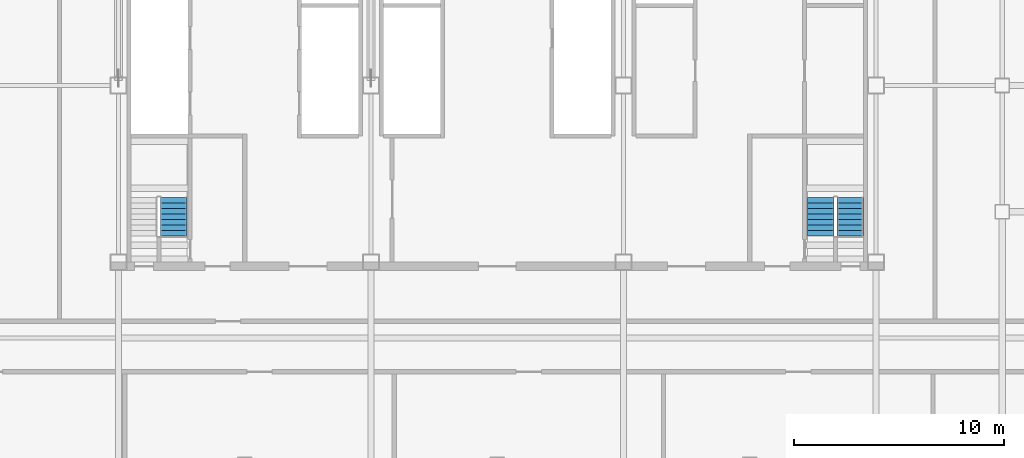
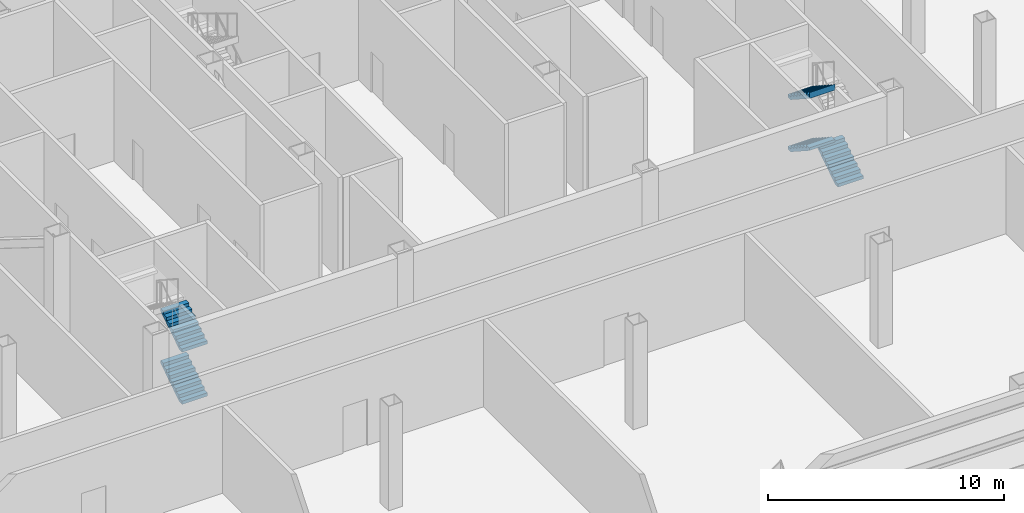
# One storey, part 7 of 10: 5 stair flights, 2 elements without a shape of their own.
"""IFC4 building model written with IfcOpenShell, lengths in metres."""

from ifc_helpers import new_model, si_unit, direction, frame, origin, place, context, subcontext, project, spatial, polyline, outline, extrude, material, type_object, element, aggregate, save


model = new_model("IFC4")

# Units and contexts
model_context = context("Model", 3, precision=1e-05, world=origin(), true_north=direction((0.0, 1.0)))
body_context = subcontext(model_context, "Body", "Model", "MODEL_VIEW")
ifc_project = project(units=[si_unit("LENGTHUNIT", "METRE"), si_unit("AREAUNIT", "SQUARE_METRE"), si_unit("VOLUMEUNIT", "CUBIC_METRE"), si_unit("PLANEANGLEUNIT", "RADIAN"), si_unit("MASSUNIT", "GRAM", prefix="KILO")], contexts=[model_context])

# Site, building, storey
site_placement = place(None, origin())
site = spatial("IfcSite", under=ifc_project, at=site_placement, CompositionType="ELEMENT")
building_placement = place(site_placement, origin())
building = spatial("IfcBuilding", under=site, at=building_placement, Name="Sorahane Residences", CompositionType="ELEMENT")
storey_placement = place(building_placement, frame((0.0, 0.0, 138.39990234375)))
storey = spatial("IfcBuildingStorey", under=building, at=storey_placement, Name="L31", CompositionType="ELEMENT", Elevation=138.39990234375)

# Stair, stair flights
ifc_material_1 = material(Name="Concrete C40", Category="concrete")
stair_type = type_object("IfcStairType", Name="Dog-leg stair 1250 Concrete C40", PredefinedType="HALF_TURN_STAIR", material=ifc_material_1)
stair_1_placement = place(storey_placement, origin())
stair_1 = element("IfcStair", 1, at=stair_1_placement, inside=storey, type_object=stair_type, Name="L31 Stair S4", PredefinedType="HALF_TURN_STAIR")
ifc_material_2 = material(Name="Concrete C40", Category="concrete")
stair_flight_type = type_object("IfcStairFlightType", Name="Stair flight 1250 Concrete C40", PredefinedType="STRAIGHT", material=ifc_material_2)
stair_flight_1_placement = place(storey_placement, frame((8.625, 22.85009765625, 0.0), z_axis=(0.0, 0.0, 1.0), x_axis=(0.0, 1.0, 0.0)))
stair_flight_1 = element("IfcStairFlight", 2, at=stair_flight_1_placement, type_object=stair_flight_type, Name="S4 flight 1", NumberOfRisers=8, NumberOfTreads=7, PredefinedType="STRAIGHT", RiserHeight=0.16875, TreadLength=0.26, context=body_context, shape_type="SweptSolid", body=[
    extrude(outline(polyline([(-0.00146484375, 0.0), (-0.00146484375, 0.002197265625), (-0.00146484375, 0.004150390625), (-0.00146484375, 0.00634765625), (-0.00146484375, 0.00830078125), (-0.00146484375, 0.010498046875), (-0.00146484375, 0.012451171875), (-0.00146484375, 0.0146484375), (-0.00146484375, 0.0166015625), (-0.00146484375, 0.018798828125), (-0.00146484375, 0.020751953125), (-0.00146484375, 0.02294921875), (-0.00146484375, 0.02490234375), (-0.00146484375, 0.027099609375), (-0.00146484375, 0.029052734375), (-0.00146484375, 0.03125), (-0.00146484375, 0.033447265625), (-0.00146484375, 0.035400390625), (-0.00146484375, 0.03759765625), (-0.00146484375, 0.03955078125), (-0.00146484375, 0.041748046875), (-0.00146484375, 0.043701171875), (-0.00146484375, 0.0458984375), (-0.00146484375, 0.0478515625), (-0.00146484375, 0.050048828125), (-0.00146484375, 0.052001953125), (-0.00146484375, 0.05419921875), (-0.00146484375, 0.05615234375), (-0.00146484375, 0.058349609375), (-0.00146484375, 0.060302734375), (-0.00146484375, 0.0625), (-0.00146484375, 0.064697265625), (-0.00146484375, 0.066650390625), (-0.00146484375, 0.06884765625), (-0.00146484375, 0.07080078125), (-0.00146484375, 0.072998046875), (-0.00146484375, 0.074951171875), (-0.00146484375, 0.0771484375), (-0.00146484375, 0.0791015625), (-0.00146484375, 0.081298828125), (-0.00146484375, 0.083251953125), (-0.00146484375, 0.08544921875), (-0.00146484375, 0.08740234375), (-0.00146484375, 0.089599609375), (-0.00146484375, 0.091552734375), (-0.00146484375, 0.09375), (-0.00146484375, 0.095947265625), (-0.00146484375, 0.097900390625), (-0.00146484375, 0.10009765625), (-0.00146484375, 0.10205078125), (-0.00146484375, 0.104248046875), (-0.00146484375, 0.106201171875), (-0.00146484375, 0.1083984375), (-0.00146484375, 0.1103515625), (-0.00146484375, 0.112548828125), (-0.00146484375, 0.114501953125), (-0.00146484375, 0.11669921875), (-0.00146484375, 0.11865234375), (-0.00146484375, 0.120849609375), (-0.00146484375, 0.122802734375), (-0.00146484375, 0.125), (-0.00146484375, 0.127197265625), (-0.00146484375, 0.129150390625), (-0.00146484375, 0.13134765625), (-0.00146484375, 0.13330078125), (-0.00146484375, 0.135498046875), (-0.00146484375, 0.137451171875), (-0.00146484375, 0.1396484375), (-0.00146484375, 0.1416015625), (-0.00146484375, 0.143798828125), (-0.00146484375, 0.145751953125), (-0.00146484375, 0.14794921875), (-0.00146484375, 0.14990234375), (-0.00146484375, 0.152099609375), (-0.00146484375, 0.154052734375), (-0.00146484375, 0.15625), (-0.00146484375, 0.158447265625), (-0.00146484375, 0.160400390625), (-0.00146484375, 0.16259765625), (-0.00146484375, 0.16455078125), (-0.00146484375, 0.166748046875), (-0.00146484375, 0.168701171875), (0.0, 0.168701171875), (0.260009765625, 0.168701171875), (0.260009765625, 0.33740234375), (0.52001953125, 0.33740234375), (0.52001953125, 0.50634765625), (0.780029296875, 0.50634765625), (0.780029296875, 0.675048828125), (1.0400390625, 0.675048828125), (1.0400390625, 0.84375), (1.300048828125, 0.84375), (1.300048828125, 1.012451171875), (1.56005859375, 1.012451171875), (1.56005859375, 1.18115234375), (1.820068359375, 1.18115234375), (1.820068359375, 1.35009765625), (1.820068359375, 1.34619140625), (1.820068359375, 1.34228515625), (1.820068359375, 1.33837890625), (1.820068359375, 1.334716796875), (1.820068359375, 1.330810546875), (1.820068359375, 1.326904296875), (1.820068359375, 1.322998046875), (1.820068359375, 1.319091796875), (1.820068359375, 1.3154296875), (1.820068359375, 1.3115234375), (1.820068359375, 1.3076171875), (1.820068359375, 1.3037109375), (1.820068359375, 1.300048828125), (1.820068359375, 1.296142578125), (1.820068359375, 1.292236328125), (1.820068359375, 1.288330078125), (1.820068359375, 1.284423828125), (1.820068359375, 1.28076171875), (1.820068359375, 1.27685546875), (1.820068359375, 1.27294921875), (1.820068359375, 1.26904296875), (1.820068359375, 1.265380859375), (1.820068359375, 1.261474609375), (1.820068359375, 1.257568359375), (1.820068359375, 1.253662109375), (1.820068359375, 1.249755859375), (1.820068359375, 1.24609375), (1.820068359375, 1.2421875), (1.820068359375, 1.23828125), (1.820068359375, 1.234375), (1.820068359375, 1.230712890625), (1.820068359375, 1.226806640625), (1.820068359375, 1.222900390625), (1.820068359375, 1.218994140625), (1.820068359375, 1.215087890625), (1.820068359375, 1.21142578125), (1.820068359375, 1.20751953125), (1.820068359375, 1.20361328125), (1.820068359375, 1.19970703125), (1.820068359375, 1.196044921875), (1.820068359375, 1.192138671875), (1.820068359375, 1.188232421875), (1.820068359375, 1.184326171875), (1.820068359375, 1.1806640625), (1.820068359375, 1.1767578125), (1.820068359375, 1.1728515625), (1.820068359375, 1.1689453125), (1.820068359375, 1.1650390625), (1.820068359375, 1.161376953125), (1.820068359375, 1.157470703125), (1.820068359375, 1.153564453125), (1.820068359375, 1.149658203125), (1.820068359375, 1.14599609375), (1.820068359375, 1.14208984375), (1.820068359375, 1.13818359375), (1.820068359375, 1.13427734375), (1.820068359375, 1.13037109375), (1.820068359375, 1.126708984375), (1.820068359375, 1.122802734375), (1.820068359375, 1.118896484375), (1.820068359375, 1.114990234375), (1.820068359375, 1.111328125), (1.820068359375, 1.107421875), (1.820068359375, 1.103515625), (1.820068359375, 1.099609375), (1.820068359375, 1.095703125), (1.820068359375, 1.092041015625), (1.820068359375, 1.088134765625), (1.820068359375, 1.084228515625), (1.820068359375, 1.080322265625), (1.820068359375, 1.07666015625), (1.820068359375, 1.07275390625), (1.820068359375, 1.06884765625), (1.820068359375, 1.06494140625), (1.820068359375, 1.061279296875), (1.820068359375, 1.057373046875), (1.820068359375, 1.053466796875), (1.820068359375, 1.049560546875), (1.820068359375, 1.045654296875), (1.820068359375, 1.0419921875), (1.820068359375, 1.0380859375), (1.642333984375, 0.922607421875), (1.464599609375, 0.807373046875), (1.286865234375, 0.692138671875), (1.109130859375, 0.57666015625), (0.931396484375, 0.46142578125), (0.753662109375, 0.345947265625), (0.575927734375, 0.230712890625), (0.3984375, 0.115234375), (0.220703125, 0.0), (-0.00146484375, 0.0)])), frame((0.0, 0.625, 0.0), z_axis=(0.0, -1.0, 0.0), x_axis=(1.0, 0.0, 0.0)), (0.0, 0.0, 1.0), 1.25),
])
stair_flight_2_placement = place(storey_placement, frame((8.625, 22.85009765625, 2.7001953125), z_axis=(0.0, 0.0, 1.0), x_axis=(0.0, 1.0, 0.0)))
stair_flight_2 = element("IfcStairFlight", 3, at=stair_flight_2_placement, type_object=stair_flight_type, Name="S4 flight 3", NumberOfRisers=8, NumberOfTreads=7, PredefinedType="STRAIGHT", RiserHeight=0.16875, TreadLength=0.26, context=body_context, shape_type="SweptSolid", body=[
    extrude(outline(polyline([(0.0, 0.0), (0.0, 0.002197265625), (0.0, 0.004150390625), (0.0, 0.00634765625), (0.0, 0.00830078125), (0.0, 0.010498046875), (0.0, 0.012451171875), (0.0, 0.0146484375), (0.0, 0.0166015625), (0.0, 0.018798828125), (0.0, 0.020751953125), (0.0, 0.02294921875), (0.0, 0.02490234375), (0.0, 0.027099609375), (0.0, 0.029052734375), (0.0, 0.03125), (0.0, 0.033447265625), (0.0, 0.035400390625), (0.0, 0.03759765625), (0.0, 0.03955078125), (0.0, 0.041748046875), (0.0, 0.043701171875), (0.0, 0.0458984375), (0.0, 0.0478515625), (0.0, 0.050048828125), (0.0, 0.052001953125), (0.0, 0.05419921875), (0.0, 0.05615234375), (0.0, 0.058349609375), (0.0, 0.060302734375), (0.0, 0.0625), (0.0, 0.064697265625), (0.0, 0.066650390625), (0.0, 0.06884765625), (0.0, 0.07080078125), (0.0, 0.072998046875), (0.0, 0.074951171875), (0.0, 0.0771484375), (0.0, 0.0791015625), (0.0, 0.081298828125), (0.0, 0.083251953125), (0.0, 0.08544921875), (0.0, 0.08740234375), (0.0, 0.089599609375), (0.0, 0.091552734375), (0.0, 0.09375), (0.0, 0.095947265625), (0.0, 0.097900390625), (0.0, 0.10009765625), (0.0, 0.10205078125), (0.0, 0.104248046875), (0.0, 0.106201171875), (0.0, 0.1083984375), (0.0, 0.1103515625), (0.0, 0.112548828125), (0.0, 0.114501953125), (0.0, 0.11669921875), (0.0, 0.11865234375), (0.0, 0.120849609375), (0.0, 0.122802734375), (0.0, 0.125), (0.0, 0.127197265625), (0.0, 0.129150390625), (0.0, 0.13134765625), (0.0, 0.13330078125), (0.0, 0.135498046875), (0.0, 0.137451171875), (0.0, 0.1396484375), (0.0, 0.1416015625), (0.0, 0.143798828125), (0.0, 0.145751953125), (0.0, 0.14794921875), (0.0, 0.14990234375), (0.0, 0.152099609375), (0.0, 0.154052734375), (0.0, 0.15625), (0.0, 0.158447265625), (0.0, 0.160400390625), (0.0, 0.16259765625), (0.0, 0.16455078125), (0.0, 0.166748046875), (0.0, 0.168701171875), (0.260009765625, 0.168701171875), (0.260009765625, 0.33740234375), (0.52001953125, 0.33740234375), (0.52001953125, 0.50634765625), (0.780029296875, 0.50634765625), (0.780029296875, 0.675048828125), (1.0400390625, 0.675048828125), (1.0400390625, 0.84375), (1.300048828125, 0.84375), (1.300048828125, 1.012451171875), (1.56005859375, 1.012451171875), (1.56005859375, 1.18115234375), (1.820068359375, 1.18115234375), (1.820068359375, 1.35009765625), (1.820068359375, 1.34619140625), (1.820068359375, 1.34228515625), (1.820068359375, 1.33837890625), (1.820068359375, 1.334716796875), (1.820068359375, 1.330810546875), (1.820068359375, 1.326904296875), (1.820068359375, 1.322998046875), (1.820068359375, 1.319091796875), (1.820068359375, 1.3154296875), (1.820068359375, 1.3115234375), (1.820068359375, 1.3076171875), (1.820068359375, 1.3037109375), (1.820068359375, 1.300048828125), (1.820068359375, 1.296142578125), (1.820068359375, 1.292236328125), (1.820068359375, 1.288330078125), (1.820068359375, 1.284423828125), (1.820068359375, 1.28076171875), (1.820068359375, 1.27685546875), (1.820068359375, 1.27294921875), (1.820068359375, 1.26904296875), (1.820068359375, 1.265380859375), (1.820068359375, 1.261474609375), (1.820068359375, 1.257568359375), (1.820068359375, 1.253662109375), (1.820068359375, 1.249755859375), (1.820068359375, 1.24609375), (1.820068359375, 1.2421875), (1.820068359375, 1.23828125), (1.820068359375, 1.234375), (1.820068359375, 1.230712890625), (1.820068359375, 1.226806640625), (1.820068359375, 1.222900390625), (1.820068359375, 1.218994140625), (1.820068359375, 1.215087890625), (1.820068359375, 1.21142578125), (1.820068359375, 1.20751953125), (1.820068359375, 1.20361328125), (1.820068359375, 1.19970703125), (1.820068359375, 1.196044921875), (1.820068359375, 1.192138671875), (1.820068359375, 1.188232421875), (1.820068359375, 1.184326171875), (1.820068359375, 1.1806640625), (1.820068359375, 1.1767578125), (1.820068359375, 1.1728515625), (1.820068359375, 1.1689453125), (1.820068359375, 1.1650390625), (1.820068359375, 1.161376953125), (1.820068359375, 1.157470703125), (1.820068359375, 1.153564453125), (1.820068359375, 1.149658203125), (1.820068359375, 1.14599609375), (1.820068359375, 1.14208984375), (1.820068359375, 1.13818359375), (1.820068359375, 1.13427734375), (1.820068359375, 1.13037109375), (1.820068359375, 1.126708984375), (1.820068359375, 1.122802734375), (1.820068359375, 1.118896484375), (1.820068359375, 1.114990234375), (1.820068359375, 1.111328125), (1.820068359375, 1.107421875), (1.820068359375, 1.103515625), (1.820068359375, 1.099609375), (1.820068359375, 1.095703125), (1.820068359375, 1.092041015625), (1.820068359375, 1.088134765625), (1.820068359375, 1.084228515625), (1.820068359375, 1.080322265625), (1.820068359375, 1.07666015625), (1.820068359375, 1.07275390625), (1.820068359375, 1.06884765625), (1.820068359375, 1.06494140625), (1.820068359375, 1.061279296875), (1.820068359375, 1.057373046875), (1.820068359375, 1.053466796875), (1.820068359375, 1.049560546875), (1.820068359375, 1.045654296875), (1.820068359375, 1.0419921875), (1.820068359375, 1.0380859375), (1.6201171875, 0.908203125), (1.420166015625, 0.778564453125), (1.22021484375, 0.648681640625), (1.020263671875, 0.51904296875), (0.8203125, 0.38916015625), (0.620361328125, 0.259521484375), (0.420654296875, 0.129638671875), (0.220703125, 0.0), (0.0, 0.0)])), frame((0.0, 0.625, 0.0), z_axis=(0.0, -1.0, 0.0), x_axis=(1.0, 0.0, 0.0)), (0.0, 0.0, 1.0), 1.25),
])
aggregate(stair_1, [stair_flight_1, stair_flight_2])

stair_2_placement = place(storey_placement, origin())
stair_2 = element("IfcStair", 4, at=stair_2_placement, inside=storey, type_object=stair_type, Name="L31 Stair S5", PredefinedType="HALF_TURN_STAIR")
stair_flight_3_placement = place(storey_placement, frame((40.77490234375, 22.85009765625, 0.0), z_axis=(0.0, 0.0, 1.0), x_axis=(0.0, 1.0, 0.0)))
stair_flight_3 = element("IfcStairFlight", 5, at=stair_flight_3_placement, type_object=stair_flight_type, Name="S5 flight 1", NumberOfRisers=8, NumberOfTreads=7, PredefinedType="STRAIGHT", RiserHeight=0.16875, TreadLength=0.26, context=body_context, shape_type="SweptSolid", body=[
    extrude(outline(polyline([(-0.00146484375, 0.0), (-0.00146484375, 0.002197265625), (-0.00146484375, 0.004150390625), (-0.00146484375, 0.00634765625), (-0.00146484375, 0.00830078125), (-0.00146484375, 0.010498046875), (-0.00146484375, 0.012451171875), (-0.00146484375, 0.0146484375), (-0.00146484375, 0.0166015625), (-0.00146484375, 0.018798828125), (-0.00146484375, 0.020751953125), (-0.00146484375, 0.02294921875), (-0.00146484375, 0.02490234375), (-0.00146484375, 0.027099609375), (-0.00146484375, 0.029052734375), (-0.00146484375, 0.03125), (-0.00146484375, 0.033447265625), (-0.00146484375, 0.035400390625), (-0.00146484375, 0.03759765625), (-0.00146484375, 0.03955078125), (-0.00146484375, 0.041748046875), (-0.00146484375, 0.043701171875), (-0.00146484375, 0.0458984375), (-0.00146484375, 0.0478515625), (-0.00146484375, 0.050048828125), (-0.00146484375, 0.052001953125), (-0.00146484375, 0.05419921875), (-0.00146484375, 0.05615234375), (-0.00146484375, 0.058349609375), (-0.00146484375, 0.060302734375), (-0.00146484375, 0.0625), (-0.00146484375, 0.064697265625), (-0.00146484375, 0.066650390625), (-0.00146484375, 0.06884765625), (-0.00146484375, 0.07080078125), (-0.00146484375, 0.072998046875), (-0.00146484375, 0.074951171875), (-0.00146484375, 0.0771484375), (-0.00146484375, 0.0791015625), (-0.00146484375, 0.081298828125), (-0.00146484375, 0.083251953125), (-0.00146484375, 0.08544921875), (-0.00146484375, 0.08740234375), (-0.00146484375, 0.089599609375), (-0.00146484375, 0.091552734375), (-0.00146484375, 0.09375), (-0.00146484375, 0.095947265625), (-0.00146484375, 0.097900390625), (-0.00146484375, 0.10009765625), (-0.00146484375, 0.10205078125), (-0.00146484375, 0.104248046875), (-0.00146484375, 0.106201171875), (-0.00146484375, 0.1083984375), (-0.00146484375, 0.1103515625), (-0.00146484375, 0.112548828125), (-0.00146484375, 0.114501953125), (-0.00146484375, 0.11669921875), (-0.00146484375, 0.11865234375), (-0.00146484375, 0.120849609375), (-0.00146484375, 0.122802734375), (-0.00146484375, 0.125), (-0.00146484375, 0.127197265625), (-0.00146484375, 0.129150390625), (-0.00146484375, 0.13134765625), (-0.00146484375, 0.13330078125), (-0.00146484375, 0.135498046875), (-0.00146484375, 0.137451171875), (-0.00146484375, 0.1396484375), (-0.00146484375, 0.1416015625), (-0.00146484375, 0.143798828125), (-0.00146484375, 0.145751953125), (-0.00146484375, 0.14794921875), (-0.00146484375, 0.14990234375), (-0.00146484375, 0.152099609375), (-0.00146484375, 0.154052734375), (-0.00146484375, 0.15625), (-0.00146484375, 0.158447265625), (-0.00146484375, 0.160400390625), (-0.00146484375, 0.16259765625), (-0.00146484375, 0.16455078125), (-0.00146484375, 0.166748046875), (-0.00146484375, 0.168701171875), (0.0, 0.168701171875), (0.260009765625, 0.168701171875), (0.260009765625, 0.33740234375), (0.52001953125, 0.33740234375), (0.52001953125, 0.50634765625), (0.780029296875, 0.50634765625), (0.780029296875, 0.675048828125), (1.0400390625, 0.675048828125), (1.0400390625, 0.84375), (1.300048828125, 0.84375), (1.300048828125, 1.012451171875), (1.56005859375, 1.012451171875), (1.56005859375, 1.18115234375), (1.820068359375, 1.18115234375), (1.820068359375, 1.35009765625), (1.820068359375, 1.34619140625), (1.820068359375, 1.34228515625), (1.820068359375, 1.33837890625), (1.820068359375, 1.334716796875), (1.820068359375, 1.330810546875), (1.820068359375, 1.326904296875), (1.820068359375, 1.322998046875), (1.820068359375, 1.319091796875), (1.820068359375, 1.3154296875), (1.820068359375, 1.3115234375), (1.820068359375, 1.3076171875), (1.820068359375, 1.3037109375), (1.820068359375, 1.300048828125), (1.820068359375, 1.296142578125), (1.820068359375, 1.292236328125), (1.820068359375, 1.288330078125), (1.820068359375, 1.284423828125), (1.820068359375, 1.28076171875), (1.820068359375, 1.27685546875), (1.820068359375, 1.27294921875), (1.820068359375, 1.26904296875), (1.820068359375, 1.265380859375), (1.820068359375, 1.261474609375), (1.820068359375, 1.257568359375), (1.820068359375, 1.253662109375), (1.820068359375, 1.249755859375), (1.820068359375, 1.24609375), (1.820068359375, 1.2421875), (1.820068359375, 1.23828125), (1.820068359375, 1.234375), (1.820068359375, 1.230712890625), (1.820068359375, 1.226806640625), (1.820068359375, 1.222900390625), (1.820068359375, 1.218994140625), (1.820068359375, 1.215087890625), (1.820068359375, 1.21142578125), (1.820068359375, 1.20751953125), (1.820068359375, 1.20361328125), (1.820068359375, 1.19970703125), (1.820068359375, 1.196044921875), (1.820068359375, 1.192138671875), (1.820068359375, 1.188232421875), (1.820068359375, 1.184326171875), (1.820068359375, 1.1806640625), (1.820068359375, 1.1767578125), (1.820068359375, 1.1728515625), (1.820068359375, 1.1689453125), (1.820068359375, 1.1650390625), (1.820068359375, 1.161376953125), (1.820068359375, 1.157470703125), (1.820068359375, 1.153564453125), (1.820068359375, 1.149658203125), (1.820068359375, 1.14599609375), (1.820068359375, 1.14208984375), (1.820068359375, 1.13818359375), (1.820068359375, 1.13427734375), (1.820068359375, 1.13037109375), (1.820068359375, 1.126708984375), (1.820068359375, 1.122802734375), (1.820068359375, 1.118896484375), (1.820068359375, 1.114990234375), (1.820068359375, 1.111328125), (1.820068359375, 1.107421875), (1.820068359375, 1.103515625), (1.820068359375, 1.099609375), (1.820068359375, 1.095703125), (1.820068359375, 1.092041015625), (1.820068359375, 1.088134765625), (1.820068359375, 1.084228515625), (1.820068359375, 1.080322265625), (1.820068359375, 1.07666015625), (1.820068359375, 1.07275390625), (1.820068359375, 1.06884765625), (1.820068359375, 1.06494140625), (1.820068359375, 1.061279296875), (1.820068359375, 1.057373046875), (1.820068359375, 1.053466796875), (1.820068359375, 1.049560546875), (1.820068359375, 1.045654296875), (1.820068359375, 1.0419921875), (1.820068359375, 1.0380859375), (1.642333984375, 0.922607421875), (1.464599609375, 0.807373046875), (1.286865234375, 0.692138671875), (1.109130859375, 0.57666015625), (0.931396484375, 0.46142578125), (0.753662109375, 0.345947265625), (0.575927734375, 0.230712890625), (0.3984375, 0.115234375), (0.220703125, 0.0), (-0.00146484375, 0.0)])), frame((0.0, 0.625, 0.0), z_axis=(0.0, -1.0, 0.0), x_axis=(1.0, 0.0, 0.0)), (0.0, 0.0, 1.0), 1.25),
])
stair_flight_4_placement = place(storey_placement, frame((39.375, 24.669921875, 1.35009765625), z_axis=(0.0, 0.0, 1.0), x_axis=(0.0, -1.0, 0.0)))
stair_flight_4 = element("IfcStairFlight", 6, at=stair_flight_4_placement, type_object=stair_flight_type, Name="S5 flight 2", NumberOfRisers=8, NumberOfTreads=7, PredefinedType="STRAIGHT", RiserHeight=0.16875, TreadLength=0.26, context=body_context, shape_type="SweptSolid", body=[
    extrude(outline(polyline([(0.0, 0.0), (0.0, 0.002197265625), (0.0, 0.004150390625), (0.0, 0.00634765625), (0.0, 0.00830078125), (0.0, 0.010498046875), (0.0, 0.012451171875), (0.0, 0.0146484375), (0.0, 0.0166015625), (0.0, 0.018798828125), (0.0, 0.020751953125), (0.0, 0.02294921875), (0.0, 0.02490234375), (0.0, 0.027099609375), (0.0, 0.029052734375), (0.0, 0.03125), (0.0, 0.033447265625), (0.0, 0.035400390625), (0.0, 0.03759765625), (0.0, 0.03955078125), (0.0, 0.041748046875), (0.0, 0.043701171875), (0.0, 0.0458984375), (0.0, 0.0478515625), (0.0, 0.050048828125), (0.0, 0.052001953125), (0.0, 0.05419921875), (0.0, 0.05615234375), (0.0, 0.058349609375), (0.0, 0.060302734375), (0.0, 0.0625), (0.0, 0.064697265625), (0.0, 0.066650390625), (0.0, 0.06884765625), (0.0, 0.07080078125), (0.0, 0.072998046875), (0.0, 0.074951171875), (0.0, 0.0771484375), (0.0, 0.0791015625), (0.0, 0.081298828125), (0.0, 0.083251953125), (0.0, 0.08544921875), (0.0, 0.08740234375), (0.0, 0.089599609375), (0.0, 0.091552734375), (0.0, 0.09375), (0.0, 0.095947265625), (0.0, 0.097900390625), (0.0, 0.10009765625), (0.0, 0.10205078125), (0.0, 0.104248046875), (0.0, 0.106201171875), (0.0, 0.1083984375), (0.0, 0.1103515625), (0.0, 0.112548828125), (0.0, 0.114501953125), (0.0, 0.11669921875), (0.0, 0.11865234375), (0.0, 0.120849609375), (0.0, 0.122802734375), (0.0, 0.125), (0.0, 0.127197265625), (0.0, 0.129150390625), (0.0, 0.13134765625), (0.0, 0.13330078125), (0.0, 0.135498046875), (0.0, 0.137451171875), (0.0, 0.1396484375), (0.0, 0.1416015625), (0.0, 0.143798828125), (0.0, 0.145751953125), (0.0, 0.14794921875), (0.0, 0.14990234375), (0.0, 0.152099609375), (0.0, 0.154052734375), (0.0, 0.15625), (0.0, 0.158447265625), (0.0, 0.160400390625), (0.0, 0.16259765625), (0.0, 0.16455078125), (0.0, 0.166748046875), (0.0, 0.168701171875), (0.260009765625, 0.168701171875), (0.260009765625, 0.33740234375), (0.52001953125, 0.33740234375), (0.52001953125, 0.50634765625), (0.780029296875, 0.50634765625), (0.780029296875, 0.675048828125), (1.0400390625, 0.675048828125), (1.0400390625, 0.84375), (1.300048828125, 0.84375), (1.300048828125, 1.012451171875), (1.56005859375, 1.012451171875), (1.56005859375, 1.18115234375), (1.820068359375, 1.18115234375), (1.820068359375, 1.35009765625), (1.820068359375, 1.34619140625), (1.820068359375, 1.34228515625), (1.820068359375, 1.33837890625), (1.820068359375, 1.334716796875), (1.820068359375, 1.330810546875), (1.820068359375, 1.326904296875), (1.820068359375, 1.322998046875), (1.820068359375, 1.319091796875), (1.820068359375, 1.3154296875), (1.820068359375, 1.3115234375), (1.820068359375, 1.3076171875), (1.820068359375, 1.3037109375), (1.820068359375, 1.300048828125), (1.820068359375, 1.296142578125), (1.820068359375, 1.292236328125), (1.820068359375, 1.288330078125), (1.820068359375, 1.284423828125), (1.820068359375, 1.28076171875), (1.820068359375, 1.27685546875), (1.820068359375, 1.27294921875), (1.820068359375, 1.26904296875), (1.820068359375, 1.265380859375), (1.820068359375, 1.261474609375), (1.820068359375, 1.257568359375), (1.820068359375, 1.253662109375), (1.820068359375, 1.249755859375), (1.820068359375, 1.24609375), (1.820068359375, 1.2421875), (1.820068359375, 1.23828125), (1.820068359375, 1.234375), (1.820068359375, 1.230712890625), (1.820068359375, 1.226806640625), (1.820068359375, 1.222900390625), (1.820068359375, 1.218994140625), (1.820068359375, 1.215087890625), (1.820068359375, 1.21142578125), (1.820068359375, 1.20751953125), (1.820068359375, 1.20361328125), (1.820068359375, 1.19970703125), (1.820068359375, 1.196044921875), (1.820068359375, 1.192138671875), (1.820068359375, 1.188232421875), (1.820068359375, 1.184326171875), (1.820068359375, 1.1806640625), (1.820068359375, 1.1767578125), (1.820068359375, 1.1728515625), (1.820068359375, 1.1689453125), (1.820068359375, 1.1650390625), (1.820068359375, 1.161376953125), (1.820068359375, 1.157470703125), (1.820068359375, 1.153564453125), (1.820068359375, 1.149658203125), (1.820068359375, 1.14599609375), (1.820068359375, 1.14208984375), (1.820068359375, 1.13818359375), (1.820068359375, 1.13427734375), (1.820068359375, 1.13037109375), (1.820068359375, 1.126708984375), (1.820068359375, 1.122802734375), (1.820068359375, 1.118896484375), (1.820068359375, 1.114990234375), (1.820068359375, 1.111328125), (1.820068359375, 1.107421875), (1.820068359375, 1.103515625), (1.820068359375, 1.099609375), (1.820068359375, 1.095703125), (1.820068359375, 1.092041015625), (1.820068359375, 1.088134765625), (1.820068359375, 1.084228515625), (1.820068359375, 1.080322265625), (1.820068359375, 1.07666015625), (1.820068359375, 1.07275390625), (1.820068359375, 1.06884765625), (1.820068359375, 1.06494140625), (1.820068359375, 1.061279296875), (1.820068359375, 1.057373046875), (1.820068359375, 1.053466796875), (1.820068359375, 1.049560546875), (1.820068359375, 1.045654296875), (1.820068359375, 1.0419921875), (1.820068359375, 1.0380859375), (1.6201171875, 0.908203125), (1.420166015625, 0.778564453125), (1.22021484375, 0.648681640625), (1.020263671875, 0.51904296875), (0.8203125, 0.38916015625), (0.620361328125, 0.259521484375), (0.420654296875, 0.129638671875), (0.220703125, 0.0), (0.0, 0.0)])), frame((0.0, 0.625, 0.0), z_axis=(0.0, -1.0, 0.0), x_axis=(1.0, 0.0, 0.0)), (0.0, 0.0, 1.0), 1.25),
])
stair_flight_5_placement = place(storey_placement, frame((39.375, 24.669921875, 4.050048828125), z_axis=(0.0, 0.0, 1.0), x_axis=(0.0, -1.0, 0.0)))
stair_flight_5 = element("IfcStairFlight", 7, at=stair_flight_5_placement, type_object=stair_flight_type, Name="S5 flight 4", NumberOfRisers=8, NumberOfTreads=7, PredefinedType="STRAIGHT", RiserHeight=0.16875, TreadLength=0.26, context=body_context, shape_type="SweptSolid", body=[
    extrude(outline(polyline([(0.0, 0.0), (0.0, 0.002197265625), (0.0, 0.004150390625), (0.0, 0.00634765625), (0.0, 0.00830078125), (0.0, 0.010498046875), (0.0, 0.012451171875), (0.0, 0.0146484375), (0.0, 0.0166015625), (0.0, 0.018798828125), (0.0, 0.020751953125), (0.0, 0.02294921875), (0.0, 0.02490234375), (0.0, 0.027099609375), (0.0, 0.029052734375), (0.0, 0.03125), (0.0, 0.033447265625), (0.0, 0.035400390625), (0.0, 0.03759765625), (0.0, 0.03955078125), (0.0, 0.041748046875), (0.0, 0.043701171875), (0.0, 0.0458984375), (0.0, 0.0478515625), (0.0, 0.050048828125), (0.0, 0.052001953125), (0.0, 0.05419921875), (0.0, 0.05615234375), (0.0, 0.058349609375), (0.0, 0.060302734375), (0.0, 0.0625), (0.0, 0.064697265625), (0.0, 0.066650390625), (0.0, 0.06884765625), (0.0, 0.07080078125), (0.0, 0.072998046875), (0.0, 0.074951171875), (0.0, 0.0771484375), (0.0, 0.0791015625), (0.0, 0.081298828125), (0.0, 0.083251953125), (0.0, 0.08544921875), (0.0, 0.08740234375), (0.0, 0.089599609375), (0.0, 0.091552734375), (0.0, 0.09375), (0.0, 0.095947265625), (0.0, 0.097900390625), (0.0, 0.10009765625), (0.0, 0.10205078125), (0.0, 0.104248046875), (0.0, 0.106201171875), (0.0, 0.1083984375), (0.0, 0.1103515625), (0.0, 0.112548828125), (0.0, 0.114501953125), (0.0, 0.11669921875), (0.0, 0.11865234375), (0.0, 0.120849609375), (0.0, 0.122802734375), (0.0, 0.125), (0.0, 0.127197265625), (0.0, 0.129150390625), (0.0, 0.13134765625), (0.0, 0.13330078125), (0.0, 0.135498046875), (0.0, 0.137451171875), (0.0, 0.1396484375), (0.0, 0.1416015625), (0.0, 0.143798828125), (0.0, 0.145751953125), (0.0, 0.14794921875), (0.0, 0.14990234375), (0.0, 0.152099609375), (0.0, 0.154052734375), (0.0, 0.15625), (0.0, 0.158447265625), (0.0, 0.160400390625), (0.0, 0.16259765625), (0.0, 0.16455078125), (0.0, 0.166748046875), (0.0, 0.168701171875), (0.260009765625, 0.168701171875), (0.260009765625, 0.33740234375), (0.52001953125, 0.33740234375), (0.52001953125, 0.50634765625), (0.780029296875, 0.50634765625), (0.780029296875, 0.675048828125), (1.0400390625, 0.675048828125), (1.0400390625, 0.84375), (1.300048828125, 0.84375), (1.300048828125, 1.012451171875), (1.56005859375, 1.012451171875), (1.56005859375, 1.18115234375), (1.820068359375, 1.18115234375), (1.820068359375, 1.35009765625), (1.821533203125, 1.35009765625), (1.821533203125, 1.34619140625), (1.821533203125, 1.34228515625), (1.821533203125, 1.33837890625), (1.821533203125, 1.334716796875), (1.821533203125, 1.330810546875), (1.821533203125, 1.326904296875), (1.821533203125, 1.322998046875), (1.821533203125, 1.319091796875), (1.821533203125, 1.3154296875), (1.821533203125, 1.3115234375), (1.821533203125, 1.3076171875), (1.821533203125, 1.3037109375), (1.821533203125, 1.300048828125), (1.821533203125, 1.296142578125), (1.821533203125, 1.292236328125), (1.821533203125, 1.288330078125), (1.821533203125, 1.284423828125), (1.821533203125, 1.28076171875), (1.821533203125, 1.27685546875), (1.821533203125, 1.27294921875), (1.821533203125, 1.26904296875), (1.821533203125, 1.265380859375), (1.821533203125, 1.261474609375), (1.821533203125, 1.257568359375), (1.821533203125, 1.253662109375), (1.821533203125, 1.249755859375), (1.821533203125, 1.24609375), (1.821533203125, 1.2421875), (1.821533203125, 1.23828125), (1.821533203125, 1.234375), (1.821533203125, 1.230712890625), (1.821533203125, 1.226806640625), (1.821533203125, 1.222900390625), (1.821533203125, 1.218994140625), (1.821533203125, 1.215087890625), (1.821533203125, 1.21142578125), (1.821533203125, 1.20751953125), (1.821533203125, 1.20361328125), (1.821533203125, 1.19970703125), (1.821533203125, 1.196044921875), (1.821533203125, 1.192138671875), (1.821533203125, 1.188232421875), (1.821533203125, 1.184326171875), (1.821533203125, 1.1806640625), (1.821533203125, 1.1767578125), (1.821533203125, 1.1728515625), (1.821533203125, 1.1689453125), (1.821533203125, 1.1650390625), (1.821533203125, 1.161376953125), (1.821533203125, 1.157470703125), (1.821533203125, 1.153564453125), (1.821533203125, 1.149658203125), (1.821533203125, 1.14599609375), (1.821533203125, 1.14208984375), (1.821533203125, 1.13818359375), (1.821533203125, 1.13427734375), (1.821533203125, 1.13037109375), (1.821533203125, 1.126708984375), (1.821533203125, 1.122802734375), (1.821533203125, 1.118896484375), (1.821533203125, 1.114990234375), (1.821533203125, 1.111328125), (1.821533203125, 1.107421875), (1.821533203125, 1.103515625), (1.821533203125, 1.099609375), (1.821533203125, 1.095703125), (1.821533203125, 1.092041015625), (1.821533203125, 1.088134765625), (1.821533203125, 1.084228515625), (1.821533203125, 1.080322265625), (1.821533203125, 1.07666015625), (1.821533203125, 1.07275390625), (1.821533203125, 1.06884765625), (1.821533203125, 1.06494140625), (1.821533203125, 1.061279296875), (1.821533203125, 1.057373046875), (1.821533203125, 1.053466796875), (1.821533203125, 1.049560546875), (1.821533203125, 1.045654296875), (1.821533203125, 1.0419921875), (1.821533203125, 1.0380859375), (1.6435546875, 0.922607421875), (1.4658203125, 0.807373046875), (1.287841796875, 0.692138671875), (1.110107421875, 0.57666015625), (0.93212890625, 0.46142578125), (0.754150390625, 0.345947265625), (0.576416015625, 0.230712890625), (0.3984375, 0.115234375), (0.220703125, 0.0), (0.0, 0.0)])), frame((0.0, 0.625, 0.0), z_axis=(0.0, -1.0, 0.0), x_axis=(1.0, 0.0, 0.0)), (0.0, 0.0, 1.0), 1.25),
])
aggregate(stair_2, [stair_flight_3, stair_flight_4, stair_flight_5])

save(model, "model.ifc")
